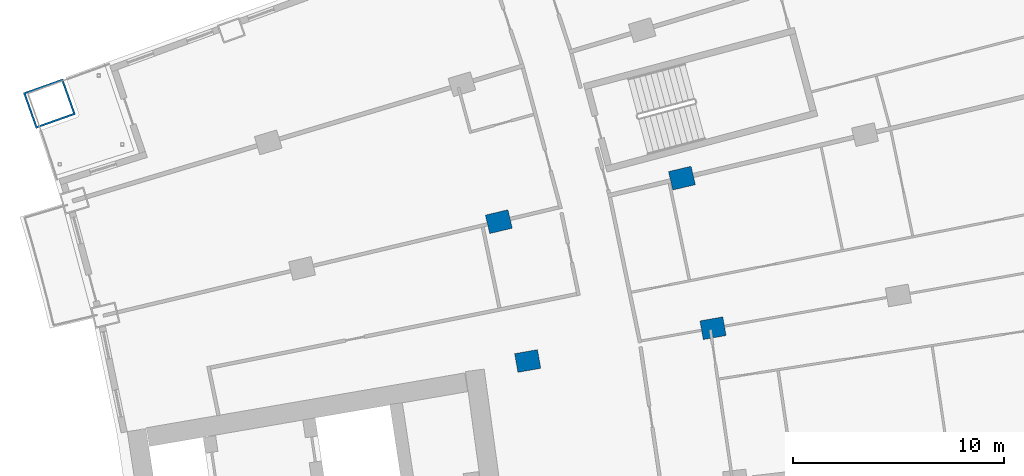
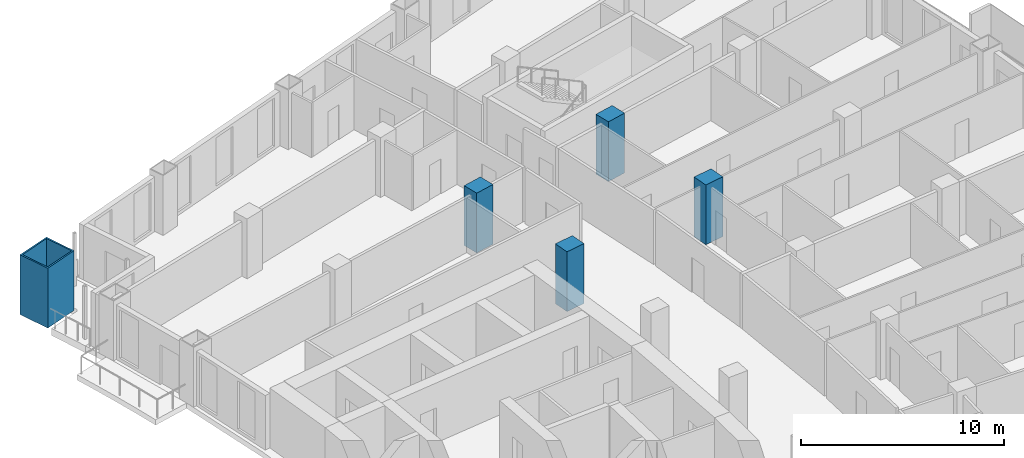
# One storey, part 8 of 25: 5 columns.
"""IFC4 building model written with IfcOpenShell, lengths in metres."""

from ifc_helpers import new_model, si_unit, direction, frame, origin, origin_2d, place, context, subcontext, project, spatial, rectangle, hollow_rectangle, extrude, material, material_profile, profile_set, type_object, element, save


model = new_model("IFC4")

# Units and contexts
model_context = context("Model", 3, precision=1e-05, world=origin(), true_north=direction((0.0, 1.0)))
body_context = subcontext(model_context, "Body", "Model", "MODEL_VIEW")
ifc_project = project(units=[si_unit("LENGTHUNIT", "METRE"), si_unit("AREAUNIT", "SQUARE_METRE"), si_unit("VOLUMEUNIT", "CUBIC_METRE"), si_unit("PLANEANGLEUNIT", "RADIAN"), si_unit("MASSUNIT", "GRAM", prefix="KILO")], contexts=[model_context])

# Site, building, storey
site_placement = place(None, origin())
site = spatial("IfcSite", under=ifc_project, at=site_placement, CompositionType="ELEMENT")
building_placement = place(site_placement, origin())
building = spatial("IfcBuilding", under=site, at=building_placement, Name="Alderwake Tower", CompositionType="ELEMENT")
storey_placement = place(building_placement, frame((0.0, 0.0, 57.199951171875)))
storey = spatial("IfcBuildingStorey", under=building, at=storey_placement, Name="L13", CompositionType="ELEMENT", Elevation=57.199951171875)

# Columns
ifc_material_1 = material(Name="Concrete C70/85", Category="concrete")
ifc_material_profile_1 = material_profile(ifc_material_1, rectangle(XDim=0.89990234375, YDim=1.10009765625, at=origin_2d()), Name="RC 1100X900")
ifc_profile_set_1 = profile_set([ifc_material_profile_1], Name="Concrete C70/85")
column_type_1 = type_object("IfcColumnType", Name="Interior column Z1", PredefinedType="COLUMN", material=ifc_profile_set_1)
for number, where, z_axis, x_axis, name in (
    (1, (34.03125, 81.16162109375, 0.0), (0.0, 0.0, 1.0), (-0.174108800747, 0.984726421654, 0.0), "Column R10-C2"),
    (2, (42.828125, 82.717041015625, 0.0), (0.0, 0.0, 1.0), (-0.174108800747, 0.984726421654, 0.0), "Column R10-C3"),
    (3, (32.661865234375, 87.775390625, 0.0), (0.0, 0.0, 1.0), (-0.231221547198, 0.972901123502, 0.0), "Column R11-C2"),
    (4, (41.353271484375, 89.841064453125, 0.0), (0.0, 0.0, 1.0), (-0.231221547198, 0.972901123502, 0.0), "Column R11-C3"),
):
    element("IfcColumn", number, at=place(storey_placement, frame(where, z_axis=z_axis, x_axis=x_axis)), inside=storey, type_object=column_type_1, Name=name, PredefinedType="COLUMN", context=body_context, shape_type="SweptSolid", body=[
        extrude(rectangle(XDim=0.89990234375, YDim=1.10009765625, at=origin_2d()), origin(), (0.0, 0.0, 1.0), 3.60009765625),
    ])
ifc_material_2 = material(Name="Steel ASTM A572 Grade 50 concrete filled C70/85", Category="concrete")
ifc_material_profile_2 = material_profile(ifc_material_2, hollow_rectangle(XDim=1.800048828125, YDim=2.0, WallThickness=0.090087890625, at=origin_2d()), Name="BOX 2000X1800X90")
ifc_profile_set_2 = profile_set([ifc_material_profile_2], Name="Steel ASTM A572 Grade 50 concrete filled C70/85")
column_type_2 = type_object("IfcColumnType", Name="Mega column Z1", PredefinedType="COLUMN", material=ifc_profile_set_2)
column_placement = place(storey_placement, frame((11.330810546875, 93.377197265625, 0.0), z_axis=(0.0, 0.0, 1.0), x_axis=(-0.334130947791, 0.942526662609, 0.0)))
element("IfcColumn", 5, at=column_placement, inside=storey, type_object=column_type_2, Name="Column R13-C0", PredefinedType="COLUMN", context=body_context, shape_type="SweptSolid", body=[
    extrude(hollow_rectangle(XDim=1.800048828125, YDim=2.0, WallThickness=0.090087890625, at=origin_2d()), origin(), (0.0, 0.0, 1.0), 3.60009765625),
])

save(model, "model.ifc")
